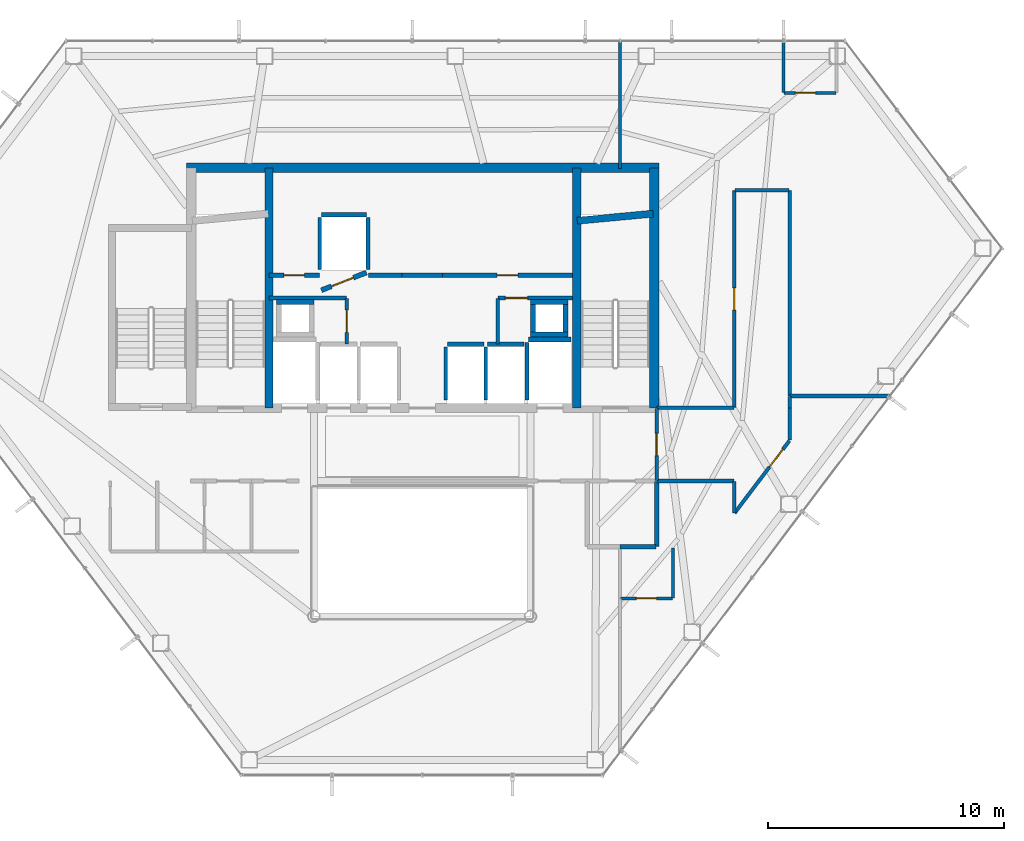
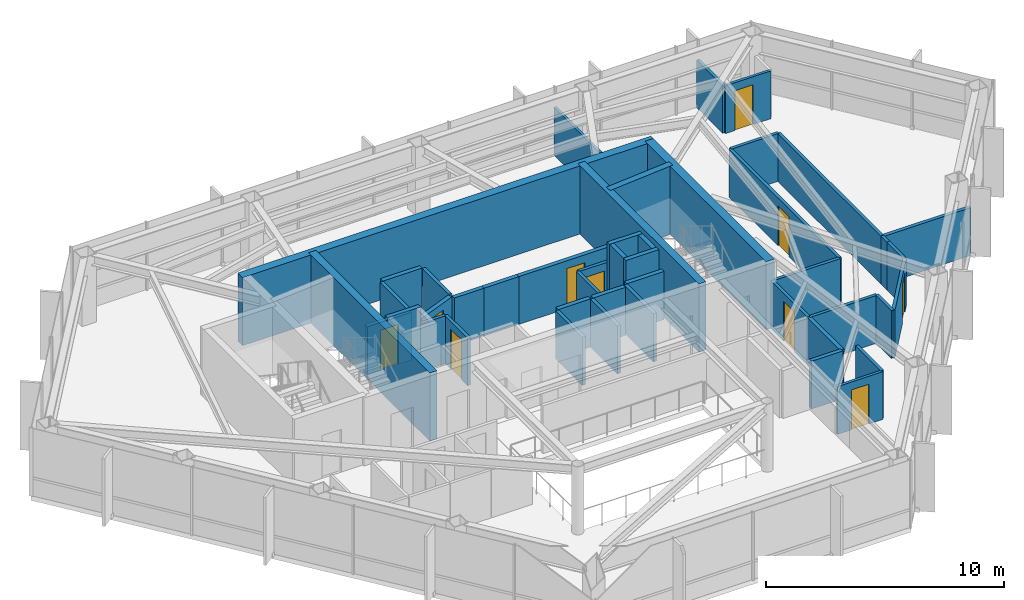
# One storey, part 26 of 28: 46 walls, 10 doors, 10 openings.
"""IFC4 building model written with IfcOpenShell, lengths in metres."""

from ifc_helpers import new_model, si_unit, direction, frame, frame_2d, origin, place, context, subcontext, project, spatial, rectangle, extrude, material, layer, layer_set, type_object, element, fill, save


model = new_model("IFC4")

# Units and contexts
model_context = context("Model", 3, precision=1e-05, world=origin(), true_north=direction((0.0, 1.0)))
body_context = subcontext(model_context, "Body", "Model", "MODEL_VIEW")
ifc_project = project(units=[si_unit("LENGTHUNIT", "METRE"), si_unit("AREAUNIT", "SQUARE_METRE"), si_unit("VOLUMEUNIT", "CUBIC_METRE"), si_unit("PLANEANGLEUNIT", "RADIAN"), si_unit("MASSUNIT", "GRAM", prefix="KILO")], contexts=[model_context])

# Site, building, storey
site_placement = place(None, origin())
site = spatial("IfcSite", under=ifc_project, at=site_placement, CompositionType="ELEMENT")
building_placement = place(site_placement, origin())
building = spatial("IfcBuilding", under=site, at=building_placement, Name="Zarrinselat Tower", CompositionType="ELEMENT")
storey_placement = place(building_placement, frame((0.0, 0.0, 164.56005859375)))
storey = spatial("IfcBuildingStorey", under=building, at=storey_placement, Name="L40", CompositionType="ELEMENT", Elevation=164.56005859375)

# Walls
ifc_material_1 = material(Name="Fire-Rated Gypsum Board Partition", Category="gypsum")
ifc_layer_1 = layer(ifc_material_1, 0.1650390625)
ifc_layer_set_1 = layer_set([ifc_layer_1], Name="Fire-Rated Gypsum Board Partition")
wall_type_1 = type_object("IfcWallType", Name="WAL-PART-DEMISE", PredefinedType="PARTITIONING", material=ifc_layer_set_1)
wall_1_placement = place(storey_placement, frame((54.02001953125, 33.752685546875, 0.0), z_axis=(0.0, 0.0, 1.0), x_axis=(1.0, 0.0, 0.0)))
element("IfcWall", 1, at=wall_1_placement, inside=storey, type_object=wall_type_1, Name="L40 Partition Wall 42", PredefinedType="PARTITIONING", context=body_context, shape_type="SweptSolid", body=[
    extrude(rectangle(XDim=4.223876953125, YDim=0.1650390625, at=frame_2d((2.11181640625, 0.0))), origin(), (0.0, 0.0, 1.0), 2.45703125),
])
ifc_material_2 = material(Name="Concrete C40/50", Category="concrete")
ifc_layer_2 = layer(ifc_material_2, 0.18994140625)
ifc_layer_set_2 = layer_set([ifc_layer_2], Name="Concrete C40/50")
wall_type_2 = type_object("IfcWallType", Name="WAL-PART-EI120", PredefinedType="PARTITIONING", material=ifc_layer_set_2)
wall_2_placement = place(storey_placement, frame((46.804931640625, 27.35009765625, 0.0), z_axis=(0.0, 0.0, 1.0), x_axis=(1.0, 0.0, 0.0)))
element("IfcWall", 2, at=wall_2_placement, inside=storey, type_object=wall_type_2, Name="L40 Partition Wall 17", PredefinedType="PARTITIONING", context=body_context, shape_type="SweptSolid", body=[
    extrude(rectangle(XDim=1.525146484375, YDim=0.18994140625, at=frame_2d((0.7626953125, 0.0))), origin(), (0.0, 0.0, 1.0), 2.45703125),
])
wall_3_placement = place(storey_placement, frame((48.35009765625, 27.3701171875, 0.0), z_axis=(0.0, 0.0, 1.0), x_axis=(0.0, 1.0, 0.0)))
element("IfcWall", 3, at=wall_3_placement, inside=storey, type_object=wall_type_2, Name="L40 Partition Wall 18", PredefinedType="PARTITIONING", context=body_context, shape_type="SweptSolid", body=[
    extrude(rectangle(XDim=2.759765625, YDim=0.18994140625, at=frame_2d((1.3798828125, 0.0))), origin(), (0.0, 0.0, 1.0), 2.45703125),
])

# Wall, opening, door
ifc_material_3 = material(Name="Fire-Rated Gypsum Board Partition", Category="gypsum")
ifc_layer_3 = layer(ifc_material_3, 0.14990234375)
ifc_layer_set_3 = layer_set([ifc_layer_3], Name="Fire-Rated Gypsum Board Partition")
wall_type_3 = type_object("IfcWallType", Name="WAL-PART-EI60", PredefinedType="PARTITIONING", material=ifc_layer_set_3)
wall_4_placement = place(storey_placement, frame((35.199951171875, 35.969970703125, 0.0), z_axis=(0.0, 0.0, 1.0), x_axis=(0.0, 1.0, 0.0)))
wall_4 = element("IfcWall", 4, at=wall_4_placement, inside=storey, type_object=wall_type_3, Name="L40 Partition Wall 1", PredefinedType="PARTITIONING", context=body_context, shape_type="SweptSolid", body=[
    extrude(rectangle(XDim=1.929931640625, YDim=0.14990234375, at=frame_2d((0.96484375, 0.0))), origin(), (0.0, 0.0, 1.0), 2.45703125),
])
opening_1_placement = place(wall_4_placement, frame((0.4951171875, 0.0, 0.0)))
opening_1 = element("IfcOpeningElement", 5, at=opening_1_placement, cuts=wall_4, Name="Opening ID-04", PredefinedType="OPENING", context=body_context, shape_type="SweptSolid", body=[
    extrude(rectangle(XDim=0.93994140625, YDim=2.050048828125, at=frame_2d((0.469970703125, 1.02490234375))), frame((0.0, 0.0849609375, 0.0), z_axis=(0.0, -1.0, 0.0), x_axis=(1.0, 0.0, 0.0)), (0.0, 0.0, 1.0), 0.169921875),
])
ifc_material_4 = material(Name="Fire-Rated Gypsum Board Partition")
door_type_1 = type_object("IfcDoorType", Name="DR-INT-FD30-ENT", OperationType="NOTDEFINED", PredefinedType="DOOR", material=ifc_material_4)
door_1_placement = place(opening_1_placement, origin())
door_1 = element("IfcDoor", 6, at=door_1_placement, inside=storey, type_object=door_type_1, Name="L40 Interior Door P1", OperationType="SINGLE_SWING_RIGHT", OverallHeight=2.050048828125, OverallWidth=0.93994140625, PredefinedType="DOOR", context=body_context, shape_type="SweptSolid", body=[
    extrude(rectangle(XDim=0.93994140625, YDim=2.050048828125, at=frame_2d((0.469970703125, 1.02490234375))), frame((0.0, 0.02490234375, 0.0), z_axis=(0.0, -1.0, 0.0), x_axis=(1.0, 0.0, 0.0)), (0.0, 0.0, 1.0), 0.050048828125),
])
fill(opening_1, door_1)

# Wall
wall_5_placement = place(storey_placement, frame((31.885009765625, 37.919921875, 0.0), z_axis=(0.0, 0.0, 1.0), x_axis=(1.0, 0.0, 0.0)))
element("IfcWall", 7, at=wall_5_placement, inside=storey, type_object=wall_type_3, Name="L40 Partition Wall 2", PredefinedType="PARTITIONING", context=body_context, shape_type="SweptSolid", body=[
    extrude(rectangle(XDim=3.294921875, YDim=0.14990234375, at=frame_2d((1.6474609375, 0.0))), origin(), (0.0, 0.0, 1.0), 2.45703125),
])

# Wall, opening, door
wall_6_placement = place(storey_placement, frame((41.6201171875, 37.919921875, 0.0), z_axis=(0.0, 0.0, 1.0), x_axis=(1.0, 0.0, 0.0)))
wall_6 = element("IfcWall", 8, at=wall_6_placement, inside=storey, type_object=wall_type_3, Name="L40 Partition Wall 7", PredefinedType="PARTITIONING", context=body_context, shape_type="SweptSolid", body=[
    extrude(rectangle(XDim=3.164794921875, YDim=0.14990234375, at=frame_2d((1.58251953125, 0.0))), origin(), (0.0, 0.0, 1.0), 2.45703125),
])
opening_2_placement = place(wall_6_placement, frame((0.3125, 0.0, 0.0)))
opening_2 = element("IfcOpeningElement", 9, at=opening_2_placement, cuts=wall_6, Name="Opening ID-04", PredefinedType="OPENING", context=body_context, shape_type="SweptSolid", body=[
    extrude(rectangle(XDim=0.93994140625, YDim=2.050048828125, at=frame_2d((0.469970703125, 1.02490234375))), frame((0.0, 0.0849609375, 0.0), z_axis=(0.0, -1.0, 0.0), x_axis=(1.0, 0.0, 0.0)), (0.0, 0.0, 1.0), 0.169921875),
])
door_2_placement = place(opening_2_placement, origin())
door_2 = element("IfcDoor", 10, at=door_2_placement, inside=storey, type_object=door_type_1, Name="L40 Interior Door P7", OperationType="SINGLE_SWING_LEFT", OverallHeight=2.050048828125, OverallWidth=0.93994140625, PredefinedType="DOOR", context=body_context, shape_type="SweptSolid", body=[
    extrude(rectangle(XDim=0.93994140625, YDim=2.050048828125, at=frame_2d((0.469970703125, 1.02490234375))), frame((0.0, 0.02490234375, 0.0), z_axis=(0.0, -1.0, 0.0), x_axis=(1.0, 0.0, 0.0)), (0.0, 0.0, 1.0), 0.050048828125),
])
fill(opening_2, door_2)

# Wall
wall_7_placement = place(storey_placement, frame((41.60009765625, 35.969970703125, 0.0), z_axis=(0.0, 0.0, 1.0), x_axis=(0.0, 1.0, 0.0)))
element("IfcWall", 11, at=wall_7_placement, inside=storey, type_object=wall_type_3, Name="L40 Partition Wall 8", PredefinedType="PARTITIONING", context=body_context, shape_type="SweptSolid", body=[
    extrude(rectangle(XDim=1.929931640625, YDim=0.14990234375, at=frame_2d((0.96484375, 0.0))), origin(), (0.0, 0.0, 1.0), 2.45703125),
])

# Wall, opening, door
wall_8_placement = place(storey_placement, frame((48.35009765625, 30.169921875, 0.0), z_axis=(0.0, 0.0, 1.0), x_axis=(0.0, 1.0, 0.0)))
wall_8 = element("IfcWall", 12, at=wall_8_placement, inside=storey, type_object=wall_type_3, Name="L40 Partition Wall 10", PredefinedType="PARTITIONING", context=body_context, shape_type="SweptSolid", body=[
    extrude(rectangle(XDim=3.06005859375, YDim=0.14990234375, at=frame_2d((1.530029296875, 0.0))), origin(), (0.0, 0.0, 1.0), 2.45703125),
])
opening_3_placement = place(wall_8_placement, frame((1.06005859375, 0.0, 0.0)))
opening_3 = element("IfcOpeningElement", 13, at=opening_3_placement, cuts=wall_8, Name="Opening ID-04", PredefinedType="OPENING", context=body_context, shape_type="SweptSolid", body=[
    extrude(rectangle(XDim=0.93994140625, YDim=2.050048828125, at=frame_2d((0.469970703125, 1.02490234375))), frame((0.0, 0.0849609375, 0.0), z_axis=(0.0, -1.0, 0.0), x_axis=(1.0, 0.0, 0.0)), (0.0, 0.0, 1.0), 0.169921875),
])
door_3_placement = place(opening_3_placement, origin())
door_3 = element("IfcDoor", 14, at=door_3_placement, inside=storey, type_object=door_type_1, Name="L40 Interior Door P10", OperationType="SINGLE_SWING_LEFT", OverallHeight=2.050048828125, OverallWidth=0.93994140625, PredefinedType="DOOR", context=body_context, shape_type="SweptSolid", body=[
    extrude(rectangle(XDim=0.93994140625, YDim=2.050048828125, at=frame_2d((0.469970703125, 1.02490234375))), frame((0.0, 0.02490234375, 0.0), z_axis=(0.0, -1.0, 0.0), x_axis=(1.0, 0.0, 0.0)), (0.0, 0.0, 1.0), 0.050048828125),
])
fill(opening_3, door_3)

# Walls
wall_9_placement = place(storey_placement, frame((54.0, 33.25, 0.0), z_axis=(0.0, 0.0, 1.0), x_axis=(0.0, 1.0, 0.0)))
element("IfcWall", 15, at=wall_9_placement, inside=storey, type_object=wall_type_3, Name="L40 Partition Wall 19", PredefinedType="PARTITIONING", context=body_context, shape_type="SweptSolid", body=[
    extrude(rectangle(XDim=0.49755859375, YDim=0.14990234375, at=frame_2d((0.248779296875, 0.0))), origin(), (0.0, 0.0, 1.0), 2.45703125),
])
wall_10_placement = place(storey_placement, frame((54.0, 31.8935546875, 0.0), z_axis=(0.0, 0.0, 1.0), x_axis=(0.0, 1.0, 0.0)))
element("IfcWall", 16, at=wall_10_placement, inside=storey, type_object=wall_type_3, Name="L40 Partition Wall 20", PredefinedType="PARTITIONING", context=body_context, shape_type="SweptSolid", body=[
    extrude(rectangle(XDim=1.3564453125, YDim=0.14990234375, at=frame_2d((0.67822265625, 0.0))), origin(), (0.0, 0.0, 1.0), 2.45703125),
])

# Wall, opening, door
wall_11_placement = place(storey_placement, frame((51.662109375, 28.787353515625, 0.0), z_axis=(0.0, 0.0, 1.0), x_axis=(0.603806431354, 0.797130976349, 0.0)))
wall_11 = element("IfcWall", 17, at=wall_11_placement, inside=storey, type_object=wall_type_3, Name="L40 Partition Wall 21", PredefinedType="PARTITIONING", context=body_context, shape_type="SweptSolid", body=[
    extrude(rectangle(XDim=3.851806640625, YDim=0.14990234375, at=frame_2d((1.92578125, 0.0))), origin(), (0.0, 0.0, 1.0), 2.45703125),
])
opening_4_placement = place(wall_11_placement, frame((2.455810546875, 0.0, 0.0)))
opening_4 = element("IfcOpeningElement", 18, at=opening_4_placement, cuts=wall_11, Name="Opening ID-04", PredefinedType="OPENING", context=body_context, shape_type="SweptSolid", body=[
    extrude(rectangle(XDim=0.93994140625, YDim=2.050048828125, at=frame_2d((0.469970703125, 1.02490234375))), frame((0.0, 0.0849609375, 0.0), z_axis=(0.0, -1.0, 0.0), x_axis=(1.0, 0.0, 0.0)), (0.0, 0.0, 1.0), 0.169921875),
])
door_4_placement = place(opening_4_placement, origin())
door_4 = element("IfcDoor", 19, at=door_4_placement, inside=storey, type_object=door_type_1, Name="L40 Interior Door P21", OperationType="SINGLE_SWING_LEFT", OverallHeight=2.050048828125, OverallWidth=0.93994140625, PredefinedType="DOOR", context=body_context, shape_type="SweptSolid", body=[
    extrude(rectangle(XDim=0.93994140625, YDim=2.050048828125, at=frame_2d((0.469970703125, 1.02490234375))), frame((0.0, 0.02490234375, 0.0), z_axis=(0.0, -1.0, 0.0), x_axis=(1.0, 0.0, 0.0)), (0.0, 0.0, 1.0), 0.050048828125),
])
fill(opening_4, door_4)

# Walls
wall_12_placement = place(storey_placement, frame((51.64990234375, 28.79150390625, 0.0), z_axis=(0.0, 0.0, 1.0), x_axis=(0.0, 1.0, 0.0)))
element("IfcWall", 20, at=wall_12_placement, inside=storey, type_object=wall_type_3, Name="L40 Partition Wall 22", PredefinedType="PARTITIONING", context=body_context, shape_type="SweptSolid", body=[
    extrude(rectangle(XDim=1.33837890625, YDim=0.14990234375, at=frame_2d((0.669189453125, 0.0))), origin(), (0.0, 0.0, 1.0), 2.45703125),
])
wall_13_placement = place(storey_placement, frame((48.3701171875, 30.14990234375, 0.0), z_axis=(0.0, 0.0, 1.0), x_axis=(1.0, 0.0, 0.0)))
element("IfcWall", 21, at=wall_13_placement, inside=storey, type_object=wall_type_3, Name="L40 Partition Wall 23", PredefinedType="PARTITIONING", context=body_context, shape_type="SweptSolid", body=[
    extrude(rectangle(XDim=3.259765625, YDim=0.14990234375, at=frame_2d((1.6298828125, 0.0))), origin(), (0.0, 0.0, 1.0), 2.45703125),
])
wall_14_placement = place(storey_placement, frame((48.364990234375, 33.25, 0.0), z_axis=(0.0, 0.0, 1.0), x_axis=(1.0, 0.0, 0.0)))
element("IfcWall", 22, at=wall_14_placement, inside=storey, type_object=wall_type_3, Name="L40 Partition Wall 24", PredefinedType="PARTITIONING", context=body_context, shape_type="SweptSolid", body=[
    extrude(rectangle(XDim=3.264892578125, YDim=0.14990234375, at=frame_2d((1.63232421875, 0.0))), origin(), (0.0, 0.0, 1.0), 2.45703125),
])

# Wall, opening, door
wall_15_placement = place(storey_placement, frame((51.64990234375, 33.27001953125, 0.0), z_axis=(0.0, 0.0, 1.0), x_axis=(0.0, 1.0, 0.0)))
wall_15 = element("IfcWall", 23, at=wall_15_placement, inside=storey, type_object=wall_type_3, Name="L40 Partition Wall 25", PredefinedType="PARTITIONING", context=body_context, shape_type="SweptSolid", body=[
    extrude(rectangle(XDim=9.2099609375, YDim=0.14990234375, at=frame_2d((4.60498046875, 0.0))), origin(), (0.0, 0.0, 1.0), 2.45703125),
])
opening_5_placement = place(wall_15_placement, frame((4.135009765625, 0.0, 0.0)))
opening_5 = element("IfcOpeningElement", 24, at=opening_5_placement, cuts=wall_15, Name="Opening ID-04", PredefinedType="OPENING", context=body_context, shape_type="SweptSolid", body=[
    extrude(rectangle(XDim=0.93994140625, YDim=2.050048828125, at=frame_2d((0.469970703125, 1.02490234375))), frame((0.0, 0.0849609375, 0.0), z_axis=(0.0, -1.0, 0.0), x_axis=(1.0, 0.0, 0.0)), (0.0, 0.0, 1.0), 0.169921875),
])
door_5_placement = place(opening_5_placement, origin())
door_5 = element("IfcDoor", 25, at=door_5_placement, inside=storey, type_object=door_type_1, Name="L40 Interior Door P25", OperationType="SINGLE_SWING_RIGHT", OverallHeight=2.050048828125, OverallWidth=0.93994140625, PredefinedType="DOOR", context=body_context, shape_type="SweptSolid", body=[
    extrude(rectangle(XDim=0.93994140625, YDim=2.050048828125, at=frame_2d((0.469970703125, 1.02490234375))), frame((0.0, 0.02490234375, 0.0), z_axis=(0.0, -1.0, 0.0), x_axis=(1.0, 0.0, 0.0)), (0.0, 0.0, 1.0), 0.050048828125),
])
fill(opening_5, door_5)

# Walls
wall_16_placement = place(storey_placement, frame((51.669921875, 42.5, 0.0), z_axis=(0.0, 0.0, 1.0), x_axis=(1.0, 0.0, 0.0)))
element("IfcWall", 26, at=wall_16_placement, inside=storey, type_object=wall_type_3, Name="L40 Partition Wall 26", PredefinedType="PARTITIONING", context=body_context, shape_type="SweptSolid", body=[
    extrude(rectangle(XDim=2.31005859375, YDim=0.14990234375, at=frame_2d((1.155029296875, 0.0))), origin(), (0.0, 0.0, 1.0), 2.45703125),
])
wall_17_placement = place(storey_placement, frame((54.0, 33.757568359375, 0.0), z_axis=(0.0, 0.0, 1.0), x_axis=(0.0, 1.0, 0.0)))
element("IfcWall", 27, at=wall_17_placement, inside=storey, type_object=wall_type_3, Name="L40 Partition Wall 27", PredefinedType="PARTITIONING", context=body_context, shape_type="SweptSolid", body=[
    extrude(rectangle(XDim=8.722412109375, YDim=0.14990234375, at=frame_2d((4.361328125, 0.0))), origin(), (0.0, 0.0, 1.0), 2.45703125),
])

# Wall, opening, door
ifc_material_5 = material(Name="Concrete C40/50", Category="concrete")
ifc_layer_4 = layer(ifc_material_5, 0.199951171875)
ifc_layer_set_4 = layer_set([ifc_layer_4], Name="Concrete C40/50")
wall_type_4 = type_object("IfcWallType", Name="WAL-PART-PLANT", PredefinedType="PARTITIONING", material=ifc_layer_set_4)
wall_18_placement = place(storey_placement, frame((31.885009765625, 38.889892578125, 0.0), z_axis=(0.0, 0.0, 1.0), x_axis=(1.0, 0.0, 0.0)))
wall_18 = element("IfcWall", 28, at=wall_18_placement, inside=storey, type_object=wall_type_4, Name="L40 Partition Wall 3", PredefinedType="PARTITIONING", context=body_context, shape_type="SweptSolid", body=[
    extrude(rectangle(XDim=2.14990234375, YDim=0.199951171875, at=frame_2d((1.074951171875, 0.0))), origin(), (0.0, 0.0, 1.0), 2.45703125),
])
opening_6_placement = place(wall_18_placement, frame((0.635009765625, 0.0, 0.0)))
opening_6 = element("IfcOpeningElement", 29, at=opening_6_placement, cuts=wall_18, Name="Opening ID-03", PredefinedType="OPENING", context=body_context, shape_type="SweptSolid", body=[
    extrude(rectangle(XDim=0.8798828125, YDim=2.050048828125, at=frame_2d((0.43994140625, 1.02490234375))), frame((0.0, 0.10986328125, 0.0), z_axis=(0.0, -1.0, 0.0), x_axis=(1.0, 0.0, 0.0)), (0.0, 0.0, 1.0), 0.219970703125),
])
ifc_material_6 = material(Name="Steel S355J2", Category="steel")
door_type_2 = type_object("IfcDoorType", Name="DR-INT-FD60-S", OperationType="NOTDEFINED", PredefinedType="DOOR", material=ifc_material_6)
door_6_placement = place(opening_6_placement, origin())
door_6 = element("IfcDoor", 30, at=door_6_placement, inside=storey, type_object=door_type_2, Name="L40 Interior Door P3", OperationType="SINGLE_SWING_LEFT", OverallHeight=2.050048828125, OverallWidth=0.8798828125, PredefinedType="DOOR", context=body_context, shape_type="SweptSolid", body=[
    extrude(rectangle(XDim=0.8798828125, YDim=2.050048828125, at=frame_2d((0.43994140625, 1.02490234375))), frame((0.0, 0.02490234375, 0.0), z_axis=(0.0, -1.0, 0.0), x_axis=(1.0, 0.0, 0.0)), (0.0, 0.0, 1.0), 0.050048828125),
])
fill(opening_6, door_6)

# Walls
wall_19_placement = place(storey_placement, frame((36.114990234375, 38.889892578125, 0.0), z_axis=(0.0, 0.0, 1.0), x_axis=(1.0, 0.0, 0.0)))
element("IfcWall", 31, at=wall_19_placement, inside=storey, type_object=wall_type_4, Name="L40 Partition Wall 4", PredefinedType="PARTITIONING", context=body_context, shape_type="SweptSolid", body=[
    extrude(rectangle(XDim=1.43505859375, YDim=0.199951171875, at=frame_2d((0.717529296875, 0.0))), origin(), (0.0, 0.0, 1.0), 2.45703125),
])
wall_20_placement = place(storey_placement, frame((37.550048828125, 38.889892578125, 0.0), z_axis=(0.0, 0.0, 1.0), x_axis=(1.0, 0.0, 0.0)))
element("IfcWall", 32, at=wall_20_placement, inside=storey, type_object=wall_type_4, Name="L40 Partition Wall 5", PredefinedType="PARTITIONING", context=body_context, shape_type="SweptSolid", body=[
    extrude(rectangle(XDim=1.699951171875, YDim=0.199951171875, at=frame_2d((0.85009765625, 0.0))), origin(), (0.0, 0.0, 1.0), 2.45703125),
])

# Wall, opening, door
wall_21_placement = place(storey_placement, frame((39.25, 38.889892578125, 0.0), z_axis=(0.0, 0.0, 1.0), x_axis=(1.0, 0.0, 0.0)))
wall_21 = element("IfcWall", 33, at=wall_21_placement, inside=storey, type_object=wall_type_4, Name="L40 Partition Wall 6", PredefinedType="PARTITIONING", context=body_context, shape_type="SweptSolid", body=[
    extrude(rectangle(XDim=5.534912109375, YDim=0.199951171875, at=frame_2d((2.767578125, 0.0))), origin(), (0.0, 0.0, 1.0), 2.45703125),
])
opening_7_placement = place(wall_21_placement, frame((2.327392578125, 0.0, 0.0)))
opening_7 = element("IfcOpeningElement", 34, at=opening_7_placement, cuts=wall_21, Name="Opening ID-03", PredefinedType="OPENING", context=body_context, shape_type="SweptSolid", body=[
    extrude(rectangle(XDim=0.8798828125, YDim=2.050048828125, at=frame_2d((0.43994140625, 1.02490234375))), frame((0.0, 0.10986328125, 0.0), z_axis=(0.0, -1.0, 0.0), x_axis=(1.0, 0.0, 0.0)), (0.0, 0.0, 1.0), 0.219970703125),
])
door_7_placement = place(opening_7_placement, origin())
door_7 = element("IfcDoor", 35, at=door_7_placement, inside=storey, type_object=door_type_2, Name="L40 Interior Door P6", OperationType="SINGLE_SWING_RIGHT", OverallHeight=2.050048828125, OverallWidth=0.8798828125, PredefinedType="DOOR", context=body_context, shape_type="SweptSolid", body=[
    extrude(rectangle(XDim=0.8798828125, YDim=2.050048828125, at=frame_2d((0.43994140625, 1.02490234375))), frame((0.0, 0.02490234375, 0.0), z_axis=(0.0, -1.0, 0.0), x_axis=(1.0, 0.0, 0.0)), (0.0, 0.0, 1.0), 0.050048828125),
])
fill(opening_7, door_7)

# Walls
ifc_material_7 = material(Name="Fire-Rated Gypsum Board Partition", Category="gypsum")
ifc_layer_5 = layer(ifc_material_7, 0.1201171875)
ifc_layer_set_5 = layer_set([ifc_layer_5], Name="Fire-Rated Gypsum Board Partition")
wall_type_5 = type_object("IfcWallType", Name="WAL-PART-STD", PredefinedType="PARTITIONING", material=ifc_layer_set_5)
wall_22_placement = place(storey_placement, frame((46.800048828125, 43.4150390625, 0.0), z_axis=(0.0, 0.0, 1.0), x_axis=(0.0, 1.0, 0.0)))
element("IfcWall", 36, at=wall_22_placement, inside=storey, type_object=wall_type_5, Name="L40 Partition Wall 39", PredefinedType="PARTITIONING", context=body_context, shape_type="SweptSolid", body=[
    extrude(rectangle(XDim=5.408935546875, YDim=0.1201171875, at=frame_2d((2.70458984375, 0.0))), origin(), (0.0, 0.0, 1.0), 2.45703125),
])
ifc_material_8 = material(Name="Fire-Rated Gypsum Board Partition", Category="gypsum")
ifc_layer_6 = layer(ifc_material_8, 0.135009765625)
ifc_layer_set_6 = layer_set([ifc_layer_6], Name="Fire-Rated Gypsum Board Partition")
wall_type_6 = type_object("IfcWallType", Name="WAL-PART-WET", PredefinedType="PARTITIONING", material=ifc_layer_set_6)
wall_23_placement = place(storey_placement, frame((49.050048828125, 25.184326171875, 0.0), z_axis=(0.0, 0.0, 1.0), x_axis=(0.0, 1.0, 0.0)))
element("IfcWall", 37, at=wall_23_placement, inside=storey, type_object=wall_type_6, Name="L40 Partition Wall 40", PredefinedType="PARTITIONING", context=body_context, shape_type="SweptSolid", body=[
    extrude(rectangle(XDim=2.130126953125, YDim=0.135009765625, at=frame_2d((1.06494140625, 0.0))), origin(), (0.0, 0.0, 1.0), 2.45703125),
])

# Wall, opening, door
wall_24_placement = place(storey_placement, frame((46.820068359375, 25.164306640625, 0.0), z_axis=(0.0, 0.0, 1.0), x_axis=(1.0, 0.0, 0.0)))
wall_24 = element("IfcWall", 38, at=wall_24_placement, inside=storey, type_object=wall_type_6, Name="L40 Partition Wall 41", PredefinedType="PARTITIONING", context=body_context, shape_type="SweptSolid", body=[
    extrude(rectangle(XDim=2.2099609375, YDim=0.135009765625, at=frame_2d((1.10498046875, 0.0))), origin(), (0.0, 0.0, 1.0), 2.45703125),
])
opening_8_placement = place(wall_24_placement, frame((0.675048828125, 0.0, 0.0)))
opening_8 = element("IfcOpeningElement", 39, at=opening_8_placement, cuts=wall_24, Name="Opening ID-06", PredefinedType="OPENING", context=body_context, shape_type="SweptSolid", body=[
    extrude(rectangle(XDim=0.860107421875, YDim=2.050048828125, at=frame_2d((0.43017578125, 1.02490234375))), frame((0.0, 0.077392578125, 0.0), z_axis=(0.0, -1.0, 0.0), x_axis=(1.0, 0.0, 0.0)), (0.0, 0.0, 1.0), 0.155029296875),
])
ifc_material_9 = material(Name="Extruded Aluminium Alloy EN AW-6063 T6", Category="aluminium")
door_type_3 = type_object("IfcDoorType", Name="DR-INT-WET-900", OperationType="NOTDEFINED", PredefinedType="DOOR", material=ifc_material_9)
door_8_placement = place(opening_8_placement, origin())
door_8 = element("IfcDoor", 40, at=door_8_placement, inside=storey, type_object=door_type_3, Name="L40 Interior Door P41", OperationType="SINGLE_SWING_LEFT", OverallHeight=2.050048828125, OverallWidth=0.860107421875, PredefinedType="DOOR", context=body_context, shape_type="SweptSolid", body=[
    extrude(rectangle(XDim=0.860107421875, YDim=2.050048828125, at=frame_2d((0.43017578125, 1.02490234375))), frame((0.0, 0.02490234375, 0.0), z_axis=(0.0, -1.0, 0.0), x_axis=(1.0, 0.0, 0.0)), (0.0, 0.0, 1.0), 0.050048828125),
])
fill(opening_8, door_8)

# Wall
wall_25_placement = place(storey_placement, frame((53.74609375, 46.64892578125, 0.0), z_axis=(0.0, 0.0, 1.0), x_axis=(0.0, 1.0, 0.0)))
element("IfcWall", 41, at=wall_25_placement, inside=storey, type_object=wall_type_6, Name="L40 Partition Wall 43", PredefinedType="PARTITIONING", context=body_context, shape_type="SweptSolid", body=[
    extrude(rectangle(XDim=2.175048828125, YDim=0.135009765625, at=frame_2d((1.08740234375, 0.0))), origin(), (0.0, 0.0, 1.0), 2.45703125),
])

# Wall, opening, door
wall_26_placement = place(storey_placement, frame((53.76611328125, 46.62890625, 0.0), z_axis=(0.0, 0.0, 1.0), x_axis=(1.0, 0.0, 0.0)))
wall_26 = element("IfcWall", 42, at=wall_26_placement, inside=storey, type_object=wall_type_6, Name="L40 Partition Wall 44", PredefinedType="PARTITIONING", context=body_context, shape_type="SweptSolid", body=[
    extrude(rectangle(XDim=2.2099609375, YDim=0.135009765625, at=frame_2d((1.10498046875, 0.0))), origin(), (0.0, 0.0, 1.0), 2.45703125),
])
opening_9_placement = place(wall_26_placement, frame((0.47509765625, 0.0, 0.0)))
opening_9 = element("IfcOpeningElement", 43, at=opening_9_placement, cuts=wall_26, Name="Opening ID-06", PredefinedType="OPENING", context=body_context, shape_type="SweptSolid", body=[
    extrude(rectangle(XDim=0.860107421875, YDim=2.050048828125, at=frame_2d((0.43017578125, 1.02490234375))), frame((0.0, 0.077392578125, 0.0), z_axis=(0.0, -1.0, 0.0), x_axis=(1.0, 0.0, 0.0)), (0.0, 0.0, 1.0), 0.155029296875),
])
door_9_placement = place(opening_9_placement, origin())
door_9 = element("IfcDoor", 44, at=door_9_placement, inside=storey, type_object=door_type_3, Name="L40 Interior Door P44", OperationType="SINGLE_SWING_RIGHT", OverallHeight=2.050048828125, OverallWidth=0.860107421875, PredefinedType="DOOR", context=body_context, shape_type="SweptSolid", body=[
    extrude(rectangle(XDim=0.860107421875, YDim=2.050048828125, at=frame_2d((0.43017578125, 1.02490234375))), frame((0.0, 0.02490234375, 0.0), z_axis=(0.0, -1.0, 0.0), x_axis=(1.0, 0.0, 0.0)), (0.0, 0.0, 1.0), 0.050048828125),
])
fill(opening_9, door_9)

# Walls
ifc_material_10 = material(Name="Concrete C40/50", Category="concrete")
ifc_layer_7 = layer(ifc_material_10, 0.2099609375)
ifc_layer_set_7 = layer_set([ifc_layer_7], Name="Concrete C40/50")
wall_type_7 = type_object("IfcWallType", Name="WAL-SHAFT-210", PredefinedType="SOLIDWALL", material=ifc_layer_set_7)
wall_27_placement = place(storey_placement, frame((42.919921875, 36.155029296875, 0.0), z_axis=(0.0, 0.0, 1.0), x_axis=(1.0, 0.0, 0.0)))
element("IfcWall", 45, at=wall_27_placement, inside=storey, type_object=wall_type_7, Name="L40 Lift FFL2 North Shaft Wall", PredefinedType="SOLIDWALL", context=body_context, shape_type="SweptSolid", body=[
    extrude(rectangle(XDim=1.800048828125, YDim=0.2099609375, at=frame_2d((0.89990234375, 0.0))), origin(), (0.0, 0.0, 1.0), 2.471923828125),
])
wall_28_placement = place(storey_placement, frame((42.85009765625, 33.580078125, 0.0), z_axis=(0.0, 0.0, 1.0), x_axis=(0.0, 1.0, 0.0)))
element("IfcWall", 46, at=wall_28_placement, inside=storey, type_object=wall_type_7, Name="L40 Lift FFL2 W Shaft Wall", PredefinedType="SOLIDWALL", context=body_context, shape_type="SweptSolid", body=[
    extrude(rectangle(XDim=2.449951171875, YDim=0.159912109375, at=frame_2d((1.22509765625, 0.0))), origin(), (0.0, 0.0, 1.0), 2.471923828125),
])

# Wall, opening, door
wall_29_placement = place(storey_placement, frame((34.1201171875, 38.25, 0.0), z_axis=(0.0, 0.0, 1.0), x_axis=(0.930804993012, 0.36551616241, 0.0)))
wall_29 = element("IfcWall", 47, at=wall_29_placement, inside=storey, type_object=wall_type_7, Name="L40 Lift PL7 Front Shaft Wall", PredefinedType="SOLIDWALL", context=body_context, shape_type="SweptSolid", body=[
    extrude(rectangle(XDim=2.052001953125, YDim=0.2099609375, at=frame_2d((1.02587890625, 0.0))), origin(), (0.0, 0.0, 1.0), 2.471923828125),
])
opening_10_placement = place(wall_29_placement, frame((0.455078125, 0.0, 0.0)))
opening_10 = element("IfcOpeningElement", 48, at=opening_10_placement, cuts=wall_29, Name="Opening LD-PL7", PredefinedType="OPENING", context=body_context, shape_type="SweptSolid", body=[
    extrude(rectangle(XDim=1.0, YDim=2.10009765625, at=frame_2d((0.5, 1.050048828125))), frame((0.0, 0.114990234375, 0.0), z_axis=(0.0, -1.0, 0.0), x_axis=(1.0, 0.0, 0.0)), (0.0, 0.0, 1.0), 0.22998046875),
])
ifc_material_11 = material(Name="Steel S355J2", Category="steel")
door_type_4 = type_object("IfcDoorType", Name="DR-LIFT-PS-1000", OperationType="NOTDEFINED", PredefinedType="DOOR", material=ifc_material_11)
door_10_placement = place(opening_10_placement, origin())
door_10 = element("IfcDoor", 49, at=door_10_placement, inside=storey, type_object=door_type_4, Name="L40 Lift PL7 Sliding Landing Door", OperationType="SLIDING_TO_LEFT", OverallHeight=2.10009765625, OverallWidth=1.0, PredefinedType="DOOR", context=body_context, shape_type="SweptSolid", body=[
    extrude(rectangle(XDim=1.0, YDim=2.10009765625, at=frame_2d((0.5, 1.050048828125))), frame((0.0, 0.02490234375, 0.0), z_axis=(0.0, -1.0, 0.0), x_axis=(1.0, 0.0, 0.0)), (0.0, 0.0, 1.0), 0.050048828125),
])
fill(opening_10, door_10)

# Walls
wall_30_placement = place(storey_placement, frame((34.1201171875, 41.455078125, 0.0), z_axis=(0.0, 0.0, 1.0), x_axis=(1.0, 0.0, 0.0)))
element("IfcWall", 50, at=wall_30_placement, inside=storey, type_object=wall_type_7, Name="L40 Lift PL7 Rear Shaft Wall", PredefinedType="SOLIDWALL", context=body_context, shape_type="SweptSolid", body=[
    extrude(rectangle(XDim=1.909912109375, YDim=0.2099609375, at=frame_2d((0.955078125, 0.0))), origin(), (0.0, 0.0, 1.0), 2.471923828125),
])
for number, where, z_axis, x_axis, name in (
    (51, (34.050048828125, 39.1201171875, 0.0), (0.0, 0.0, 1.0), (0.0, 1.0, 0.0), "L40 Lift PL7 W Shaft Wall"),
    (52, (36.10009765625, 39.1201171875, 0.0), (0.0, 0.0, 1.0), (0.0, 1.0, 0.0), "L40 Lift PL7 E Shaft Wall"),
):
    element("IfcWall", number, at=place(storey_placement, frame(where, z_axis=z_axis, x_axis=x_axis)), inside=storey, type_object=wall_type_7, Name=name, PredefinedType="SOLIDWALL", context=body_context, shape_type="SweptSolid", body=[
        extrude(rectangle(XDim=2.2099609375, YDim=0.159912109375, at=frame_2d((1.10498046875, 0.0))), origin(), (0.0, 0.0, 1.0), 2.471923828125),
    ])
wall_31_placement = place(storey_placement, frame((39.469970703125, 35.955078125, 0.0), z_axis=(0.0, 0.0, 1.0), x_axis=(1.0, 0.0, 0.0)))
element("IfcWall", 53, at=wall_31_placement, inside=storey, type_object=wall_type_7, Name="L40 Lift PL8 North Shaft Wall", PredefinedType="SOLIDWALL", context=body_context, shape_type="SweptSolid", body=[
    extrude(rectangle(XDim=1.56005859375, YDim=0.2099609375, at=frame_2d((0.780029296875, 0.0))), origin(), (0.0, 0.0, 1.0), 2.471923828125),
])
for number, where, z_axis, x_axis, name in (
    (54, (39.39990234375, 33.580078125, 0.0), (0.0, 0.0, 1.0), (0.0, 1.0, 0.0), "L40 Lift PL8 W Shaft Wall"),
    (55, (41.10009765625, 33.580078125, 0.0), (0.0, 0.0, 1.0), (0.0, 1.0, 0.0), "L40 Lift PL8 E Shaft Wall"),
):
    element("IfcWall", number, at=place(storey_placement, frame(where, z_axis=z_axis, x_axis=x_axis)), inside=storey, type_object=wall_type_7, Name=name, PredefinedType="SOLIDWALL", context=body_context, shape_type="SweptSolid", body=[
        extrude(rectangle(XDim=2.25, YDim=0.159912109375, at=frame_2d((1.125, 0.0))), origin(), (0.0, 0.0, 1.0), 2.471923828125),
    ])
wall_32_placement = place(storey_placement, frame((41.169921875, 35.955078125, 0.0), z_axis=(0.0, 0.0, 1.0), x_axis=(1.0, 0.0, 0.0)))
element("IfcWall", 56, at=wall_32_placement, inside=storey, type_object=wall_type_7, Name="L40 Lift PL9 North Shaft Wall", PredefinedType="SOLIDWALL", context=body_context, shape_type="SweptSolid", body=[
    extrude(rectangle(XDim=1.56005859375, YDim=0.2099609375, at=frame_2d((0.780029296875, 0.0))), origin(), (0.0, 0.0, 1.0), 2.471923828125),
])
for number, where, z_axis, x_axis, name in (
    (57, (32.2099609375, 37.7451171875, 0.0), (0.0, 0.0, 1.0), (1.0, 0.0, 0.0), "L40 Core Riser RSR-W N Shaft Wall"),
    (58, (42.989990234375, 36.375, 0.0), (0.0, 0.0, 1.0), (1.0, 0.0, 0.0), "L40 Core Riser RSR-E S Shaft Wall"),
    (59, (42.989990234375, 37.7451171875, 0.0), (0.0, 0.0, 1.0), (1.0, 0.0, 0.0), "L40 Core Riser RSR-E N Shaft Wall"),
):
    element("IfcWall", number, at=place(storey_placement, frame(where, z_axis=z_axis, x_axis=x_axis)), inside=storey, type_object=wall_type_7, Name=name, PredefinedType="SOLIDWALL", context=body_context, shape_type="SweptSolid", body=[
        extrude(rectangle(XDim=1.60009765625, YDim=0.2099609375, at=frame_2d((0.800048828125, 0.0))), origin(), (0.0, 0.0, 1.0), 3.5),
    ])
for number, where, z_axis, x_axis, name in (
    (60, (43.094970703125, 36.485107421875, 0.0), (0.0, 0.0, 1.0), (0.0, 1.0, 0.0), "L40 Core Riser RSR-E W Shaft Wall"),
    (61, (44.485107421875, 36.485107421875, 0.0), (0.0, 0.0, 1.0), (0.0, 1.0, 0.0), "L40 Core Riser RSR-E E Shaft Wall"),
):
    element("IfcWall", number, at=place(storey_placement, frame(where, z_axis=z_axis, x_axis=x_axis)), inside=storey, type_object=wall_type_7, Name=name, PredefinedType="SOLIDWALL", context=body_context, shape_type="SweptSolid", body=[
        extrude(rectangle(XDim=1.14990234375, YDim=0.2099609375, at=frame_2d((0.574951171875, 0.0))), origin(), (0.0, 0.0, 1.0), 3.5),
    ])
ifc_material_12 = material(Name="Concrete C40/50", Category="concrete")
ifc_layer_8 = layer(ifc_material_12, 0.300048828125)
ifc_layer_set_8 = layer_set([ifc_layer_8], Name="Concrete C40/50")
wall_type_8 = type_object("IfcWallType", Name="WAL-SHEAR-300", PredefinedType="SHEAR", material=ifc_layer_set_8)
wall_33_placement = place(storey_placement, frame((44.97998046875, 41.199951171875, 0.0), z_axis=(0.0, 0.0, 1.0), x_axis=(0.995686468965, 0.09278176286, 0.0)))
element("IfcWall", 62, at=wall_33_placement, inside=storey, type_object=wall_type_8, Name="L40 Stair 2 North Shaft Wall", PredefinedType="SHEAR", context=body_context, shape_type="SweptSolid", body=[
    extrude(rectangle(XDim=3.23388671875, YDim=0.300048828125, at=frame_2d((1.616943359375, 0.0))), origin(), (0.0, 0.0, 1.0), 3.5),
])
ifc_material_13 = material(Name="Concrete C50/60", Category="concrete")
ifc_layer_9 = layer(ifc_material_13, 0.35009765625)
ifc_layer_set_9 = layer_set([ifc_layer_9], Name="Concrete C50/60")
wall_type_9 = type_object("IfcWallType", Name="WAL-SHEAR-350", PredefinedType="SHEAR", material=ifc_layer_set_9)
for number, where, z_axis, x_axis, name in (
    (63, (31.89501953125, 33.25, 0.0), (0.0, 0.0, 1.0), (0.0, 1.0, 0.0), "L40 Core Shear Wall ST1E"),
    (64, (44.965087890625, 33.25, 0.0), (0.0, 0.0, 1.0), (0.0, 1.0, 0.0), "L40 Core Shear Wall ST2W"),
):
    element("IfcWall", number, at=place(storey_placement, frame(where, z_axis=z_axis, x_axis=x_axis)), inside=storey, type_object=wall_type_9, Name=name, PredefinedType="SHEAR", context=body_context, shape_type="SweptSolid", body=[
        extrude(rectangle(XDim=10.199951171875, YDim=0.35009765625, at=frame_2d((5.10009765625, 0.0))), origin(), (0.0, 0.0, 1.0), 3.5),
    ])
ifc_material_14 = material(Name="Concrete C60/75", Category="concrete")
ifc_layer_10 = layer(ifc_material_14, 0.39990234375)
ifc_layer_set_10 = layer_set([ifc_layer_10], Name="Concrete C60/75")
wall_type_10 = type_object("IfcWallType", Name="WAL-SHEAR-400", PredefinedType="SHEAR", material=ifc_layer_set_10)
wall_34_placement = place(storey_placement, frame((28.39990234375, 43.449951171875, 0.0), z_axis=(0.0, 0.0, 1.0), x_axis=(1.0, 0.0, 0.0)))
element("IfcWall", 65, at=wall_34_placement, inside=storey, type_object=wall_type_10, Name="L40 North Core Shear Wall", PredefinedType="SHEAR", context=body_context, shape_type="SweptSolid", body=[
    extrude(rectangle(XDim=20.06005859375, YDim=0.39990234375, at=frame_2d((10.030029296875, 0.0))), origin(), (0.0, 0.0, 1.0), 3.5),
])
wall_35_placement = place(storey_placement, frame((48.260009765625, 33.25, 0.0), z_axis=(0.0, 0.0, 1.0), x_axis=(0.0, 1.0, 0.0)))
element("IfcWall", 66, at=wall_35_placement, inside=storey, type_object=wall_type_10, Name="L40 Core Shear Wall E", PredefinedType="SHEAR", context=body_context, shape_type="SweptSolid", body=[
    extrude(rectangle(XDim=10.199951171875, YDim=0.39990234375, at=frame_2d((5.10009765625, 0.0))), origin(), (0.0, 0.0, 1.0), 3.5),
])

save(model, "model.ifc")
